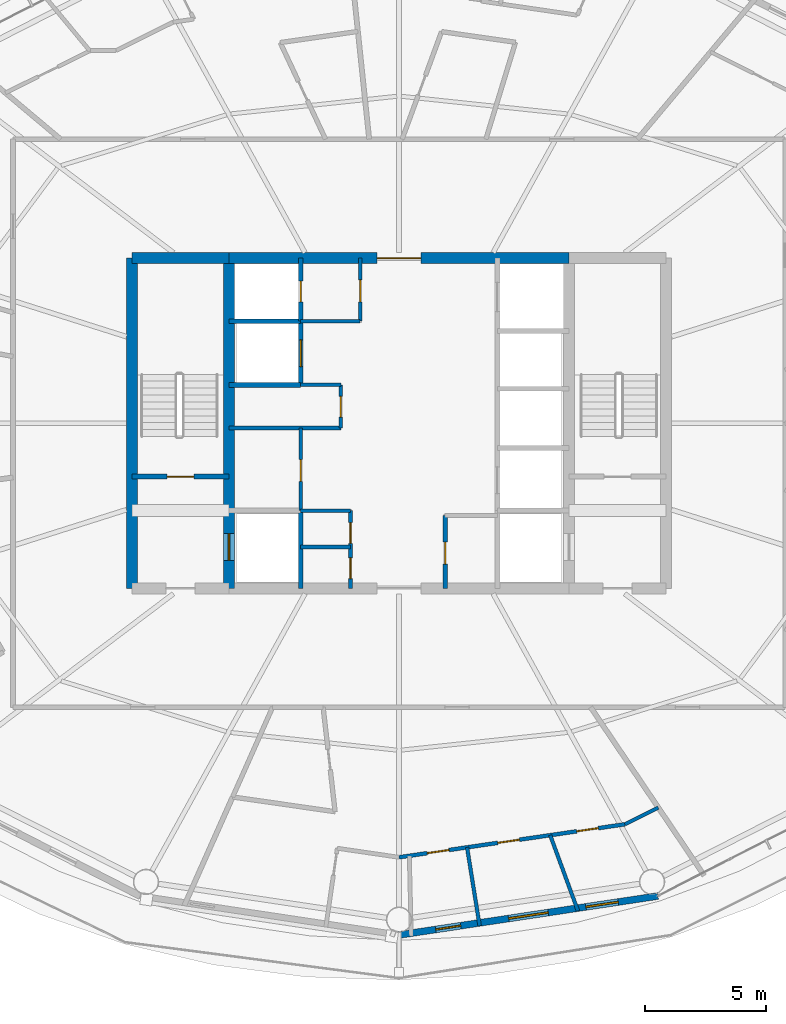
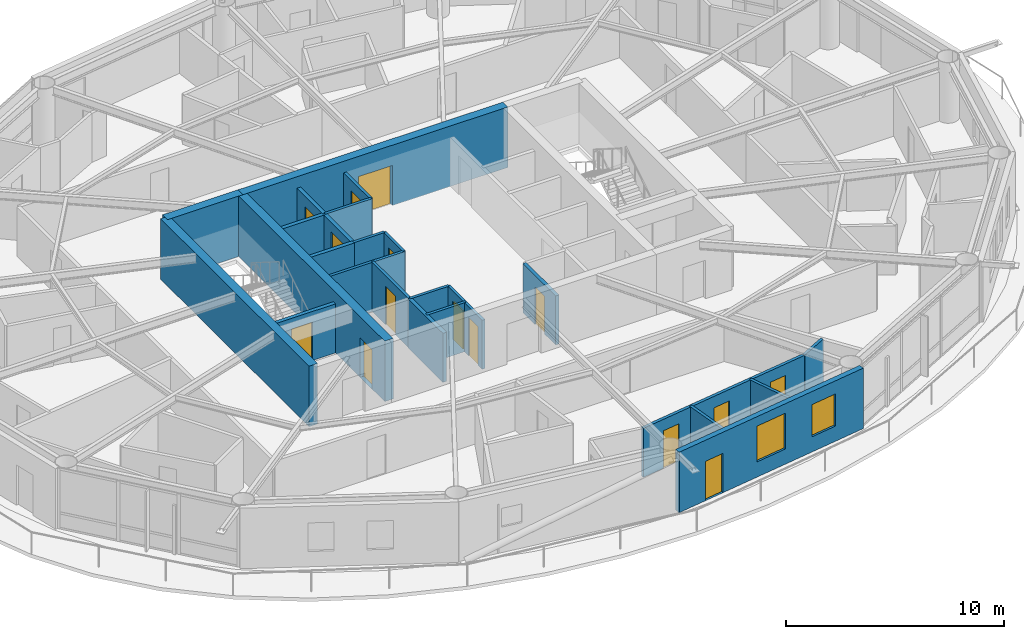
# One storey, part 22 of 29: 25 walls, 15 doors, 2 windows, 17 openings.
"""IFC4 building model written with IfcOpenShell, lengths in metres."""

from ifc_helpers import new_model, si_unit, direction, frame, frame_2d, origin, place, context, subcontext, project, spatial, rectangle, extrude, material, layer, layer_set, type_object, element, fill, save


model = new_model("IFC4")

# Units and contexts
model_context = context("Model", 3, precision=1e-05, world=origin(), true_north=direction((0.0, 1.0)))
body_context = subcontext(model_context, "Body", "Model", "MODEL_VIEW")
ifc_project = project(units=[si_unit("LENGTHUNIT", "METRE"), si_unit("AREAUNIT", "SQUARE_METRE"), si_unit("VOLUMEUNIT", "CUBIC_METRE"), si_unit("PLANEANGLEUNIT", "RADIAN"), si_unit("MASSUNIT", "GRAM", prefix="KILO")], contexts=[model_context])

# Site, building, storey
site_placement = place(None, origin())
site = spatial("IfcSite", under=ifc_project, at=site_placement, CompositionType="ELEMENT")
building_placement = place(site_placement, origin())
building = spatial("IfcBuilding", under=site, at=building_placement, Name="Sarneth Arch Tower", CompositionType="ELEMENT")
storey_placement = place(building_placement, frame((0.0, 0.0, 175.800048828125)))
storey = spatial("IfcBuildingStorey", under=building, at=storey_placement, Name="L44", CompositionType="ELEMENT", Elevation=175.800048828125)

# Wall
ifc_material_1 = material(Name="Concrete C50/60", Category="concrete")
ifc_layer_1 = layer(ifc_material_1, 0.449951171875)
ifc_layer_set_1 = layer_set([ifc_layer_1], Name="Concrete C50/60")
wall_type_1 = type_object("IfcWallType", Name="WALL-CORE-450", PredefinedType="SHEAR", material=ifc_layer_set_1)
wall_1_placement = place(storey_placement, frame((37.0, 48.800048828125, 0.0), z_axis=(0.0, 0.0, 1.0), x_axis=(1.0, 0.0, 0.0)))
element("IfcWall", 1, at=wall_1_placement, inside=storey, type_object=wall_type_1, Name="L44 Core shear wall N-W", PredefinedType="SHEAR", context=body_context, shape_type="SweptSolid", body=[
    extrude(rectangle(XDim=4.0, YDim=0.449951171875, at=frame_2d((2.0, 0.0))), origin(), (0.0, 0.0, 1.0), 3.3798828125),
])

# Wall, opening, door
wall_2_placement = place(storey_placement, frame((41.0, 48.800048828125, 0.0), z_axis=(0.0, 0.0, 1.0), x_axis=(1.0, 0.0, 0.0)))
wall_2 = element("IfcWall", 2, at=wall_2_placement, inside=storey, type_object=wall_type_1, Name="L44 Core shear wall N-M", PredefinedType="SHEAR", context=body_context, shape_type="SweptSolid", body=[
    extrude(rectangle(XDim=14.0, YDim=0.449951171875, at=frame_2d((7.0, 0.0))), origin(), (0.0, 0.0, 1.0), 3.3798828125),
])
opening_1_placement = place(wall_2_placement, frame((6.10009765625, 0.0, 0.0)))
opening_1 = element("IfcOpeningElement", 3, at=opening_1_placement, cuts=wall_2, Name="Opening FD-01", PredefinedType="OPENING", context=body_context, shape_type="SweptSolid", body=[
    extrude(rectangle(XDim=1.800048828125, YDim=2.25, at=frame_2d((0.89990234375, 1.125))), frame((0.0, 0.23486328125, 0.0), z_axis=(0.0, -1.0, 0.0), x_axis=(1.0, 0.0, 0.0)), (0.0, 0.0, 1.0), 0.469970703125),
])
ifc_material_2 = material(Name="Galvanised Steel S275 fire door set", Category="steel")
door_type_1 = type_object("IfcDoorType", Name="DR-FD90-1800", OperationType="DOUBLE_DOOR_SINGLE_SWING", PredefinedType="DOOR", material=ifc_material_2)
door_1_placement = place(opening_1_placement, origin())
door_1 = element("IfcDoor", 4, at=door_1_placement, inside=storey, type_object=door_type_1, Name="L44 Central lift lobby north door", OperationType="DOUBLE_DOOR_SINGLE_SWING", OverallHeight=2.25, OverallWidth=1.800048828125, PredefinedType="DOOR", context=body_context, shape_type="SweptSolid", body=[
    extrude(rectangle(XDim=1.800048828125, YDim=2.25, at=frame_2d((0.89990234375, 1.125))), frame((0.0, 0.02490234375, 0.0), z_axis=(0.0, -1.0, 0.0), x_axis=(1.0, 0.0, 0.0)), (0.0, 0.0, 1.0), 0.050048828125),
])
fill(opening_1, door_1)

# Wall
wall_3_placement = place(storey_placement, frame((37.0, 35.199951171875, 0.0), z_axis=(0.0, 0.0, 1.0), x_axis=(0.0, 1.0, 0.0)))
element("IfcWall", 5, at=wall_3_placement, inside=storey, type_object=wall_type_1, Name="L44 Core shear wall W", PredefinedType="SHEAR", context=body_context, shape_type="SweptSolid", body=[
    extrude(rectangle(XDim=13.60009765625, YDim=0.449951171875, at=frame_2d((6.800048828125, 0.0))), origin(), (0.0, 0.0, 1.0), 3.3798828125),
])

# Wall, opening, door
wall_4_placement = place(storey_placement, frame((41.0, 35.199951171875, 0.0), z_axis=(0.0, 0.0, 1.0), x_axis=(0.0, 1.0, 0.0)))
wall_4 = element("IfcWall", 6, at=wall_4_placement, inside=storey, type_object=wall_type_1, Name="L44 Core shear wall WEB-W", PredefinedType="SHEAR", context=body_context, shape_type="SweptSolid", body=[
    extrude(rectangle(XDim=13.60009765625, YDim=0.449951171875, at=frame_2d((6.800048828125, 0.0))), origin(), (0.0, 0.0, 1.0), 3.3798828125),
])
opening_2_placement = place(wall_4_placement, frame((1.14990234375, 0.0, 0.0)))
opening_2 = element("IfcOpeningElement", 7, at=opening_2_placement, cuts=wall_4, Name="Opening LD-1", PredefinedType="OPENING", context=body_context, shape_type="SweptSolid", body=[
    extrude(rectangle(XDim=1.10009765625, YDim=2.199951171875, at=frame_2d((0.550048828125, 1.10009765625))), frame((0.0, 0.23486328125, 0.0), z_axis=(0.0, -1.0, 0.0), x_axis=(1.0, 0.0, 0.0)), (0.0, 0.0, 1.0), 0.469970703125),
])
ifc_material_3 = material(Name="Brushed Stainless Steel 304 lift landing door", Category="steel")
door_type_2 = type_object("IfcDoorType", Name="DR-LIFT-SLIDE-1100", OperationType="SLIDING_TO_LEFT", PredefinedType="DOOR", material=ifc_material_3)
door_2_placement = place(opening_2_placement, origin())
door_2 = element("IfcDoor", 8, at=door_2_placement, inside=storey, type_object=door_type_2, Name="L44 Firefighting lift landing door FL-1", OperationType="SLIDING_TO_LEFT", OverallHeight=2.199951171875, OverallWidth=1.10009765625, PredefinedType="DOOR", context=body_context, shape_type="SweptSolid", body=[
    extrude(rectangle(XDim=1.10009765625, YDim=2.199951171875, at=frame_2d((0.550048828125, 1.10009765625))), frame((0.0, 0.02490234375, 0.0), z_axis=(0.0, -1.0, 0.0), x_axis=(1.0, 0.0, 0.0)), (0.0, 0.0, 1.0), 0.050048828125),
])
fill(opening_2, door_2)

# Wall, openings, door, windows
ifc_material_4 = material(Name="Extruded terracotta rainscreen on Concrete C40/50 backing", Category="masonry")
ifc_layer_2 = layer(ifc_material_4, 0.280029296875)
ifc_layer_set_2 = layer_set([ifc_layer_2], Name="Extruded terracotta rainscreen on Concrete C40/50 backing")
wall_type_2 = type_object("IfcWallType", Name="WALL-EXT-TERRA-280", PredefinedType="SOLIDWALL", material=ifc_layer_set_2)
wall_5_placement = place(storey_placement, frame((48.0, 20.919921875, 0.0), z_axis=(0.0, 0.0, 1.0), x_axis=(0.988863993413, 0.148822049884, 0.0)))
wall_5 = element("IfcWall", 9, at=wall_5_placement, inside=storey, type_object=wall_type_2, Name="L44 Terracotta perimeter wall 13", PredefinedType="SOLIDWALL", context=body_context, shape_type="SweptSolid", body=[
    extrude(rectangle(XDim=10.782958984375, YDim=0.280029296875, at=frame_2d((5.3916015625, 0.0))), origin(), (0.0, 0.0, 1.0), 3.3798828125),
])
opening_3_placement = place(wall_5_placement, frame((1.523681640625, 0.0, 0.0)))
opening_3 = element("IfcOpeningElement", 10, at=opening_3_placement, cuts=wall_5, Name="Opening BD-4", PredefinedType="OPENING", context=body_context, shape_type="SweptSolid", body=[
    extrude(rectangle(XDim=1.050048828125, YDim=2.199951171875, at=frame_2d((0.52490234375, 1.10009765625))), frame((0.0, 0.14990234375, 0.0), z_axis=(0.0, -1.0, 0.0), x_axis=(1.0, 0.0, 0.0)), (0.0, 0.0, 1.0), 0.300048828125),
])
opening_4_placement = place(wall_5_placement, frame((4.56201171875, 0.0, 0.85009765625)))
opening_4 = element("IfcOpeningElement", 11, at=opening_4_placement, cuts=wall_5, Name="Opening W-05", PredefinedType="OPENING", context=body_context, shape_type="SweptSolid", body=[
    extrude(rectangle(XDim=1.64990234375, YDim=2.0, at=frame_2d((0.824951171875, 1.0))), frame((0.0, 0.14990234375, 0.0), z_axis=(0.0, -1.0, 0.0), x_axis=(1.0, 0.0, 0.0)), (0.0, 0.0, 1.0), 0.300048828125),
])
opening_5_placement = place(wall_5_placement, frame((7.783203125, 0.0, 0.85009765625)))
opening_5 = element("IfcOpeningElement", 12, at=opening_5_placement, cuts=wall_5, Name="Opening W-08", PredefinedType="OPENING", context=body_context, shape_type="SweptSolid", body=[
    extrude(rectangle(XDim=1.35009765625, YDim=1.800048828125, at=frame_2d((0.675048828125, 0.89990234375))), frame((0.0, 0.14990234375, 0.0), z_axis=(0.0, -1.0, 0.0), x_axis=(1.0, 0.0, 0.0)), (0.0, 0.0, 1.0), 0.300048828125),
])
ifc_material_5 = material(Name="Thermally broken Aluminium 6063-T6 and laminated safety glass", Category="aluminium")
door_type_3 = type_object("IfcDoorType", Name="DR-BALC-GLZ-1050", OperationType="SINGLE_SWING_RIGHT", PredefinedType="DOOR", material=ifc_material_5)
door_3_placement = place(opening_3_placement, origin())
door_3 = element("IfcDoor", 13, at=door_3_placement, inside=storey, type_object=door_type_3, Name="L44 Balcony glazed door 13", OperationType="SINGLE_SWING_RIGHT", OverallHeight=2.199951171875, OverallWidth=1.050048828125, PredefinedType="DOOR", context=body_context, shape_type="SweptSolid", body=[
    extrude(rectangle(XDim=1.050048828125, YDim=2.199951171875, at=frame_2d((0.52490234375, 1.10009765625))), frame((0.0, 0.02490234375, 0.0), z_axis=(0.0, -1.0, 0.0), x_axis=(1.0, 0.0, 0.0)), (0.0, 0.0, 1.0), 0.050048828125),
])
fill(opening_3, door_3)
ifc_material_6 = material(Name="Thermally broken Aluminium 6063-T6 and low-e laminated IGU", Category="aluminium")
window_type_1 = type_object("IfcWindowType", Name="WIN-TWR-1350x1800", PartitioningType="SINGLE_PANEL", PredefinedType="WINDOW", material=ifc_material_6)
window_1_placement = place(opening_5_placement, origin())
window_1 = element("IfcWindow", 14, at=window_1_placement, inside=storey, type_object=window_type_1, Name="L44 Exterior window 13B", OverallHeight=1.800048828125, OverallWidth=1.35009765625, PartitioningType="SINGLE_PANEL", PredefinedType="WINDOW", context=body_context, shape_type="SweptSolid", body=[
    extrude(rectangle(XDim=1.35009765625, YDim=1.800048828125, at=frame_2d((0.675048828125, 0.89990234375))), frame((0.0, 0.030029296875, 0.0), z_axis=(0.0, -1.0, 0.0), x_axis=(1.0, 0.0, 0.0)), (0.0, 0.0, 1.0), 0.06005859375),
])
fill(opening_5, window_1)
ifc_material_7 = material(Name="Thermally broken Aluminium 6063-T6 and low-e laminated IGU", Category="aluminium")
window_type_2 = type_object("IfcWindowType", Name="WIN-TWR-1650x2000", PartitioningType="DOUBLE_PANEL_VERTICAL", PredefinedType="WINDOW", material=ifc_material_7)
window_2_placement = place(opening_4_placement, origin())
window_2 = element("IfcWindow", 15, at=window_2_placement, inside=storey, type_object=window_type_2, Name="L44 Exterior window 13A", OverallHeight=2.0, OverallWidth=1.64990234375, PartitioningType="SINGLE_PANEL", PredefinedType="WINDOW", context=body_context, shape_type="SweptSolid", body=[
    extrude(rectangle(XDim=1.64990234375, YDim=2.0, at=frame_2d((0.824951171875, 1.0))), frame((0.0, 0.030029296875, 0.0), z_axis=(0.0, -1.0, 0.0), x_axis=(1.0, 0.0, 0.0)), (0.0, 0.0, 1.0), 0.06005859375),
])
fill(opening_4, window_2)

# Wall, opening, door
ifc_material_8 = material(Name="Acoustic gypsum stud partition", Category="gypsum")
ifc_layer_3 = layer(ifc_material_8, 0.14990234375)
ifc_layer_set_3 = layer_set([ifc_layer_3], Name="Acoustic gypsum stud partition")
wall_type_3 = type_object("IfcWallType", Name="WALL-PART-150", PredefinedType="PARTITIONING", material=ifc_layer_set_3)
wall_6_placement = place(storey_placement, frame((43.949951171875, 38.39990234375, 0.0), z_axis=(0.0, 0.0, 1.0), x_axis=(0.0, 1.0, 0.0)))
wall_6 = element("IfcWall", 16, at=wall_6_placement, inside=storey, type_object=wall_type_3, Name="L44 Interior partition W-L44-RECPL-E1", PredefinedType="PARTITIONING", context=body_context, shape_type="SweptSolid", body=[
    extrude(rectangle(XDim=3.400146484375, YDim=0.14990234375, at=frame_2d((1.7001953125, 0.0))), origin(), (0.0, 0.0, 1.0), 2.739990234375),
])
opening_6_placement = place(wall_6_placement, frame((1.199951171875, 0.0, 0.0)))
opening_6 = element("IfcOpeningElement", 17, at=opening_6_placement, cuts=wall_6, Name="Opening FD-10", PredefinedType="OPENING", context=body_context, shape_type="SweptSolid", body=[
    extrude(rectangle(XDim=0.89990234375, YDim=2.14990234375, at=frame_2d((0.449951171875, 1.074951171875))), frame((0.0, 0.0849609375, 0.0), z_axis=(0.0, -1.0, 0.0), x_axis=(1.0, 0.0, 0.0)), (0.0, 0.0, 1.0), 0.169921875),
])
ifc_material_9 = material(Name="Galvanised Steel S275 riser/service fire door", Category="steel")
door_type_4 = type_object("IfcDoorType", Name="DR-FD60-900", OperationType="SINGLE_SWING_LEFT", PredefinedType="DOOR", material=ifc_material_9)
door_4_placement = place(opening_6_placement, origin())
door_4 = element("IfcDoor", 18, at=door_4_placement, inside=storey, type_object=door_type_4, Name="L44 Interior door DR-L44-RECPL1", OperationType="SINGLE_SWING_LEFT", OverallHeight=2.14990234375, OverallWidth=0.89990234375, PredefinedType="DOOR", context=body_context, shape_type="SweptSolid", body=[
    extrude(rectangle(XDim=0.89990234375, YDim=2.14990234375, at=frame_2d((0.449951171875, 1.074951171875))), frame((0.0, 0.02490234375, 0.0), z_axis=(0.0, -1.0, 0.0), x_axis=(1.0, 0.0, 0.0)), (0.0, 0.0, 1.0), 0.050048828125),
])
fill(opening_6, door_4)

# Walls
wall_7_placement = place(storey_placement, frame((41.0, 41.800048828125, 0.0), z_axis=(0.0, 0.0, 1.0), x_axis=(1.0, 0.0, 0.0)))
element("IfcWall", 19, at=wall_7_placement, inside=storey, type_object=wall_type_3, Name="L44 Interior partition W-L44-RECPL-S2", PredefinedType="PARTITIONING", context=body_context, shape_type="SweptSolid", body=[
    extrude(rectangle(XDim=4.60009765625, YDim=0.14990234375, at=frame_2d((2.300048828125, 0.0))), origin(), (0.0, 0.0, 1.0), 2.739990234375),
])
wall_8_placement = place(storey_placement, frame((43.949951171875, 43.580078125, 0.0), z_axis=(0.0, 0.0, 1.0), x_axis=(1.0, 0.0, 0.0)))
element("IfcWall", 20, at=wall_8_placement, inside=storey, type_object=wall_type_3, Name="L44 Interior partition W-L44-RECPL-N2", PredefinedType="PARTITIONING", context=body_context, shape_type="SweptSolid", body=[
    extrude(rectangle(XDim=1.650146484375, YDim=0.14990234375, at=frame_2d((0.8251953125, 0.0))), origin(), (0.0, 0.0, 1.0), 2.739990234375),
])

# Wall, opening, door
wall_9_placement = place(storey_placement, frame((45.60009765625, 41.800048828125, 0.0), z_axis=(0.0, 0.0, 1.0), x_axis=(0.0, 1.0, 0.0)))
wall_9 = element("IfcWall", 21, at=wall_9_placement, inside=storey, type_object=wall_type_3, Name="L44 Interior partition W-L44-RECPL-E2", PredefinedType="PARTITIONING", context=body_context, shape_type="SweptSolid", body=[
    extrude(rectangle(XDim=1.780029296875, YDim=0.14990234375, at=frame_2d((0.89013671875, 0.0))), origin(), (0.0, 0.0, 1.0), 2.739990234375),
])
opening_7_placement = place(wall_9_placement, frame((0.449951171875, 0.0, 0.0)))
opening_7 = element("IfcOpeningElement", 22, at=opening_7_placement, cuts=wall_9, Name="Opening FD-11", PredefinedType="OPENING", context=body_context, shape_type="SweptSolid", body=[
    extrude(rectangle(XDim=0.85009765625, YDim=2.14990234375, at=frame_2d((0.425048828125, 1.074951171875))), frame((0.0, 0.0849609375, 0.0), z_axis=(0.0, -1.0, 0.0), x_axis=(1.0, 0.0, 0.0)), (0.0, 0.0, 1.0), 0.169921875),
])
ifc_material_10 = material(Name="Galvanised Steel S275 closet fire door", Category="steel")
door_type_5 = type_object("IfcDoorType", Name="DR-FD60-850", OperationType="SINGLE_SWING_LEFT", PredefinedType="DOOR", material=ifc_material_10)
door_5_placement = place(opening_7_placement, origin())
door_5 = element("IfcDoor", 23, at=door_5_placement, inside=storey, type_object=door_type_5, Name="L44 Interior door DR-L44-RECPL2", OperationType="SINGLE_SWING_RIGHT", OverallHeight=2.14990234375, OverallWidth=0.85009765625, PredefinedType="DOOR", context=body_context, shape_type="SweptSolid", body=[
    extrude(rectangle(XDim=0.85009765625, YDim=2.14990234375, at=frame_2d((0.425048828125, 1.074951171875))), frame((0.0, 0.02490234375, 0.0), z_axis=(0.0, -1.0, 0.0), x_axis=(1.0, 0.0, 0.0)), (0.0, 0.0, 1.0), 0.050048828125),
])
fill(opening_7, door_5)

# Walls
for number, where, z_axis, x_axis, name in (
    (24, (43.949951171875, 36.89990234375, 0.0), (0.0, 0.0, 1.0), (1.0, 0.0, 0.0), "L44 Interior partition W-L44-CSUP-M"),
    (25, (43.949951171875, 38.39990234375, 0.0), (0.0, 0.0, 1.0), (1.0, 0.0, 0.0), "L44 Interior partition W-L44-CSUP-N"),
):
    element("IfcWall", number, at=place(storey_placement, frame(where, z_axis=z_axis, x_axis=x_axis)), inside=storey, type_object=wall_type_3, Name=name, PredefinedType="PARTITIONING", context=body_context, shape_type="SweptSolid", body=[
        extrude(rectangle(XDim=2.050048828125, YDim=0.14990234375, at=frame_2d((1.02490234375, 0.0))), origin(), (0.0, 0.0, 1.0), 2.739990234375),
    ])

# Wall, openings, doors
wall_10_placement = place(storey_placement, frame((46.0, 35.199951171875, 0.0), z_axis=(0.0, 0.0, 1.0), x_axis=(0.0, 1.0, 0.0)))
wall_10 = element("IfcWall", 26, at=wall_10_placement, inside=storey, type_object=wall_type_3, Name="L44 Interior partition W-L44-CSUP-E", PredefinedType="PARTITIONING", context=body_context, shape_type="SweptSolid", body=[
    extrude(rectangle(XDim=3.199951171875, YDim=0.14990234375, at=frame_2d((1.60009765625, 0.0))), origin(), (0.0, 0.0, 1.0), 2.739990234375),
])
opening_8_placement = place(wall_10_placement, frame((0.39990234375, 0.0, 0.0)))
opening_8 = element("IfcOpeningElement", 27, at=opening_8_placement, cuts=wall_10, Name="Opening FD-11", PredefinedType="OPENING", context=body_context, shape_type="SweptSolid", body=[
    extrude(rectangle(XDim=0.85009765625, YDim=2.14990234375, at=frame_2d((0.425048828125, 1.074951171875))), frame((0.0, 0.0849609375, 0.0), z_axis=(0.0, -1.0, 0.0), x_axis=(1.0, 0.0, 0.0)), (0.0, 0.0, 1.0), 0.169921875),
])
opening_9_placement = place(wall_10_placement, frame((1.85009765625, 0.0, 0.0)))
opening_9 = element("IfcOpeningElement", 28, at=opening_9_placement, cuts=wall_10, Name="Opening FD-11", PredefinedType="OPENING", context=body_context, shape_type="SweptSolid", body=[
    extrude(rectangle(XDim=0.85009765625, YDim=2.14990234375, at=frame_2d((0.425048828125, 1.074951171875))), frame((0.0, 0.0849609375, 0.0), z_axis=(0.0, -1.0, 0.0), x_axis=(1.0, 0.0, 0.0)), (0.0, 0.0, 1.0), 0.169921875),
])
door_6_placement = place(opening_8_placement, origin())
door_6 = element("IfcDoor", 29, at=door_6_placement, inside=storey, type_object=door_type_5, Name="L44 Interior door DR-L44-CSUP1", OperationType="SINGLE_SWING_LEFT", OverallHeight=2.14990234375, OverallWidth=0.85009765625, PredefinedType="DOOR", context=body_context, shape_type="SweptSolid", body=[
    extrude(rectangle(XDim=0.85009765625, YDim=2.14990234375, at=frame_2d((0.425048828125, 1.074951171875))), frame((0.0, 0.02490234375, 0.0), z_axis=(0.0, -1.0, 0.0), x_axis=(1.0, 0.0, 0.0)), (0.0, 0.0, 1.0), 0.050048828125),
])
fill(opening_8, door_6)
door_7_placement = place(opening_9_placement, origin())
door_7 = element("IfcDoor", 30, at=door_7_placement, inside=storey, type_object=door_type_5, Name="L44 Interior door DR-L44-CSUP2", OperationType="SINGLE_SWING_RIGHT", OverallHeight=2.14990234375, OverallWidth=0.85009765625, PredefinedType="DOOR", context=body_context, shape_type="SweptSolid", body=[
    extrude(rectangle(XDim=0.85009765625, YDim=2.14990234375, at=frame_2d((0.425048828125, 1.074951171875))), frame((0.0, 0.02490234375, 0.0), z_axis=(0.0, -1.0, 0.0), x_axis=(1.0, 0.0, 0.0)), (0.0, 0.0, 1.0), 0.050048828125),
])
fill(opening_9, door_7)

# Wall
wall_11_placement = place(storey_placement, frame((43.949951171875, 46.199951171875, 0.0), z_axis=(0.0, 0.0, 1.0), x_axis=(1.0, 0.0, 0.0)))
element("IfcWall", 31, at=wall_11_placement, inside=storey, type_object=wall_type_3, Name="L44 Interior partition W-L44-CSUP3-S", PredefinedType="PARTITIONING", context=body_context, shape_type="SweptSolid", body=[
    extrude(rectangle(XDim=2.449951171875, YDim=0.14990234375, at=frame_2d((1.22509765625, 0.0))), origin(), (0.0, 0.0, 1.0), 2.739990234375),
])

# Wall, opening, door
wall_12_placement = place(storey_placement, frame((46.39990234375, 46.199951171875, 0.0), z_axis=(0.0, 0.0, 1.0), x_axis=(0.0, 1.0, 0.0)))
wall_12 = element("IfcWall", 32, at=wall_12_placement, inside=storey, type_object=wall_type_3, Name="L44 Interior partition W-L44-CSUP3-E", PredefinedType="PARTITIONING", context=body_context, shape_type="SweptSolid", body=[
    extrude(rectangle(XDim=2.60009765625, YDim=0.14990234375, at=frame_2d((1.300048828125, 0.0))), origin(), (0.0, 0.0, 1.0), 2.739990234375),
])
opening_10_placement = place(wall_12_placement, frame((0.800048828125, 0.0, 0.0)))
opening_10 = element("IfcOpeningElement", 33, at=opening_10_placement, cuts=wall_12, Name="Opening FD-10", PredefinedType="OPENING", context=body_context, shape_type="SweptSolid", body=[
    extrude(rectangle(XDim=0.89990234375, YDim=2.14990234375, at=frame_2d((0.449951171875, 1.074951171875))), frame((0.0, 0.0849609375, 0.0), z_axis=(0.0, -1.0, 0.0), x_axis=(1.0, 0.0, 0.0)), (0.0, 0.0, 1.0), 0.169921875),
])
door_8_placement = place(opening_10_placement, origin())
door_8 = element("IfcDoor", 34, at=door_8_placement, inside=storey, type_object=door_type_4, Name="L44 Interior door DR-L44-CSUP3", OperationType="SINGLE_SWING_LEFT", OverallHeight=2.14990234375, OverallWidth=0.89990234375, PredefinedType="DOOR", context=body_context, shape_type="SweptSolid", body=[
    extrude(rectangle(XDim=0.89990234375, YDim=2.14990234375, at=frame_2d((0.449951171875, 1.074951171875))), frame((0.0, 0.02490234375, 0.0), z_axis=(0.0, -1.0, 0.0), x_axis=(1.0, 0.0, 0.0)), (0.0, 0.0, 1.0), 0.050048828125),
])
fill(opening_10, door_8)

# Walls
wall_13_placement = place(storey_placement, frame((55.3701171875, 21.91015625, 0.0), z_axis=(0.0, 0.0, 1.0), x_axis=(-0.344425148523, 0.938813781889, 0.0)))
element("IfcWall", 35, at=wall_13_placement, inside=storey, type_object=wall_type_3, Name="L44 Interior partition W-L44-TP-097", PredefinedType="PARTITIONING", context=body_context, shape_type="SweptSolid", body=[
    extrude(rectangle(XDim=3.32373046875, YDim=0.14990234375, at=frame_2d((1.661865234375, 0.0))), origin(), (0.0, 0.0, 1.0), 2.739990234375),
])
wall_14_placement = place(storey_placement, frame((51.3193359375, 21.298095703125, 0.0), z_axis=(0.0, 0.0, 1.0), x_axis=(-0.158287238469, 0.987393108209, 0.0)))
element("IfcWall", 36, at=wall_14_placement, inside=storey, type_object=wall_type_3, Name="L44 Interior partition W-L44-TP-096", PredefinedType="PARTITIONING", context=body_context, shape_type="SweptSolid", body=[
    extrude(rectangle(XDim=3.27294921875, YDim=0.14990234375, at=frame_2d((1.636474609375, 0.0))), origin(), (0.0, 0.0, 1.0), 2.739990234375),
])
wall_15_placement = place(storey_placement, frame((57.30517578125, 25.48095703125, 0.0), z_axis=(0.0, 0.0, 1.0), x_axis=(0.89499854631, 0.446069055308, 0.0)))
element("IfcWall", 37, at=wall_15_placement, inside=storey, type_object=wall_type_3, Name="L44 Interior partition W-L44-TP-093", PredefinedType="PARTITIONING", context=body_context, shape_type="SweptSolid", body=[
    extrude(rectangle(XDim=1.536376953125, YDim=0.14990234375, at=frame_2d((0.76806640625, 0.0))), origin(), (0.0, 0.0, 1.0), 2.739990234375),
])

# Wall, openings, doors
ifc_material_11 = material(Name="Kitchen wet service chase wall", Category="gypsum")
ifc_layer_4 = layer(ifc_material_11, 0.159912109375)
ifc_layer_set_4 = layer_set([ifc_layer_4], Name="Kitchen wet service chase wall")
wall_type_4 = type_object("IfcWallType", Name="WALL-PLUMB-160", PredefinedType="PLUMBINGWALL", material=ifc_layer_set_4)
wall_16_placement = place(storey_placement, frame((57.30517578125, 25.481201171875, 0.0), z_axis=(0.0, 0.0, 1.0), x_axis=(-0.989470950226, -0.144731609055, 0.0)))
wall_16 = element("IfcWall", 38, at=wall_16_placement, inside=storey, type_object=wall_type_4, Name="L44 Interior partition W-L44-TP-091", PredefinedType="PLUMBINGWALL", context=body_context, shape_type="SweptSolid", body=[
    extrude(rectangle(XDim=9.404296875, YDim=0.159912109375, at=frame_2d((4.7021484375, 0.0))), origin(), (0.0, 0.0, 1.0), 2.739990234375),
])
opening_11_placement = place(wall_16_placement, frame((4.392578125, 0.0, 0.0)))
opening_11 = element("IfcOpeningElement", 39, at=opening_11_placement, cuts=wall_16, Name="Opening ID-01", PredefinedType="OPENING", context=body_context, shape_type="SweptSolid", body=[
    extrude(rectangle(XDim=0.89990234375, YDim=2.10009765625, at=frame_2d((0.449951171875, 1.050048828125))), frame((0.0, 0.08984375, 0.0), z_axis=(0.0, -1.0, 0.0), x_axis=(1.0, 0.0, 0.0)), (0.0, 0.0, 1.0), 0.179931640625),
])
opening_12_placement = place(wall_16_placement, frame((1.106201171875, 0.0, 0.0)))
opening_12 = element("IfcOpeningElement", 40, at=opening_12_placement, cuts=wall_16, Name="Opening ID-01", PredefinedType="OPENING", context=body_context, shape_type="SweptSolid", body=[
    extrude(rectangle(XDim=0.89990234375, YDim=2.10009765625, at=frame_2d((0.449951171875, 1.050048828125))), frame((0.0, 0.08984375, 0.0), z_axis=(0.0, -1.0, 0.0), x_axis=(1.0, 0.0, 0.0)), (0.0, 0.0, 1.0), 0.179931640625),
])
opening_13_placement = place(wall_16_placement, frame((7.324951171875, 0.0, 0.0)))
opening_13 = element("IfcOpeningElement", 41, at=opening_13_placement, cuts=wall_16, Name="Opening ID-01", PredefinedType="OPENING", context=body_context, shape_type="SweptSolid", body=[
    extrude(rectangle(XDim=0.89990234375, YDim=2.10009765625, at=frame_2d((0.449951171875, 1.050048828125))), frame((0.0, 0.08984375, 0.0), z_axis=(0.0, -1.0, 0.0), x_axis=(1.0, 0.0, 0.0)), (0.0, 0.0, 1.0), 0.179931640625),
])
ifc_material_12 = material(Name="Engineered hardwood flush door", Category="wood")
door_type_6 = type_object("IfcDoorType", Name="DR-INT-900", OperationType="SINGLE_SWING_LEFT", PredefinedType="DOOR", material=ifc_material_12)
door_9_placement = place(opening_11_placement, origin())
door_9 = element("IfcDoor", 42, at=door_9_placement, inside=storey, type_object=door_type_6, Name="L44 Interior door DR-L44-U6-BED2", OperationType="SINGLE_SWING_LEFT", OverallHeight=2.10009765625, OverallWidth=0.89990234375, PredefinedType="DOOR", context=body_context, shape_type="SweptSolid", body=[
    extrude(rectangle(XDim=0.89990234375, YDim=2.10009765625, at=frame_2d((0.449951171875, 1.050048828125))), frame((0.0, 0.02490234375, 0.0), z_axis=(0.0, -1.0, 0.0), x_axis=(1.0, 0.0, 0.0)), (0.0, 0.0, 1.0), 0.050048828125),
])
fill(opening_11, door_9)
door_10_placement = place(opening_12_placement, origin())
door_10 = element("IfcDoor", 43, at=door_10_placement, inside=storey, type_object=door_type_6, Name="L44 Interior door DR-L44-U6-BED3", OperationType="SINGLE_SWING_RIGHT", OverallHeight=2.10009765625, OverallWidth=0.89990234375, PredefinedType="DOOR", context=body_context, shape_type="SweptSolid", body=[
    extrude(rectangle(XDim=0.89990234375, YDim=2.10009765625, at=frame_2d((0.449951171875, 1.050048828125))), frame((0.0, 0.02490234375, 0.0), z_axis=(0.0, -1.0, 0.0), x_axis=(1.0, 0.0, 0.0)), (0.0, 0.0, 1.0), 0.050048828125),
])
fill(opening_12, door_10)
door_11_placement = place(opening_13_placement, origin())
door_11 = element("IfcDoor", 44, at=door_11_placement, inside=storey, type_object=door_type_6, Name="L44 Interior door DR-L44-U6-BED1", OperationType="SINGLE_SWING_RIGHT", OverallHeight=2.10009765625, OverallWidth=0.89990234375, PredefinedType="DOOR", context=body_context, shape_type="SweptSolid", body=[
    extrude(rectangle(XDim=0.89990234375, YDim=2.10009765625, at=frame_2d((0.449951171875, 1.050048828125))), frame((0.0, 0.02490234375, 0.0), z_axis=(0.0, -1.0, 0.0), x_axis=(1.0, 0.0, 0.0)), (0.0, 0.0, 1.0), 0.050048828125),
])
fill(opening_13, door_11)

# Wall, opening, door
ifc_material_13 = material(Name="Moisture-resistant plumbing chase wall", Category="gypsum")
ifc_layer_5 = layer(ifc_material_13, 0.179931640625)
ifc_layer_set_5 = layer_set([ifc_layer_5], Name="Moisture-resistant plumbing chase wall")
wall_type_5 = type_object("IfcWallType", Name="WALL-PLUMB-180", PredefinedType="PLUMBINGWALL", material=ifc_layer_set_5)
wall_17_placement = place(storey_placement, frame((49.89990234375, 35.199951171875, 0.0), z_axis=(0.0, 0.0, 1.0), x_axis=(0.0, 1.0, 0.0)))
wall_17 = element("IfcWall", 45, at=wall_17_placement, inside=storey, type_object=wall_type_5, Name="L44 Interior partition W-L44-AWC-W", PredefinedType="PLUMBINGWALL", context=body_context, shape_type="SweptSolid", body=[
    extrude(rectangle(XDim=3.0, YDim=0.179931640625, at=frame_2d((1.5, 0.0))), origin(), (0.0, 0.0, 1.0), 2.739990234375),
])
opening_14_placement = place(wall_17_placement, frame((1.0, 0.0, 0.0)))
opening_14 = element("IfcOpeningElement", 46, at=opening_14_placement, cuts=wall_17, Name="Opening ID-01", PredefinedType="OPENING", context=body_context, shape_type="SweptSolid", body=[
    extrude(rectangle(XDim=0.89990234375, YDim=2.10009765625, at=frame_2d((0.449951171875, 1.050048828125))), frame((0.0, 0.099853515625, 0.0), z_axis=(0.0, -1.0, 0.0), x_axis=(1.0, 0.0, 0.0)), (0.0, 0.0, 1.0), 0.199951171875),
])
door_12_placement = place(opening_14_placement, origin())
door_12 = element("IfcDoor", 47, at=door_12_placement, inside=storey, type_object=door_type_6, Name="L44 Interior door DR-L44-AWC", OperationType="SINGLE_SWING_RIGHT", OverallHeight=2.10009765625, OverallWidth=0.89990234375, PredefinedType="DOOR", context=body_context, shape_type="SweptSolid", body=[
    extrude(rectangle(XDim=0.89990234375, YDim=2.10009765625, at=frame_2d((0.449951171875, 1.050048828125))), frame((0.0, 0.02490234375, 0.0), z_axis=(0.0, -1.0, 0.0), x_axis=(1.0, 0.0, 0.0)), (0.0, 0.0, 1.0), 0.050048828125),
])
fill(opening_14, door_12)

ifc_material_14 = material(Name="Aerated concrete blockwork C25/30", Category="masonry")
ifc_layer_6 = layer(ifc_material_14, 0.199951171875)
ifc_layer_set_6 = layer_set([ifc_layer_6], Name="Aerated concrete blockwork C25/30")
wall_type_6 = type_object("IfcWallType", Name="WALL-SHAFT-200", PredefinedType="SOLIDWALL", material=ifc_layer_set_6)
wall_18_placement = place(storey_placement, frame((37.0, 39.800048828125, 0.0), z_axis=(0.0, 0.0, 1.0), x_axis=(1.0, 0.0, 0.0)))
wall_18 = element("IfcWall", 48, at=wall_18_placement, inside=storey, type_object=wall_type_6, Name="L44 Interior partition W-L44-ST1-S", PredefinedType="SOLIDWALL", context=body_context, shape_type="SweptSolid", body=[
    extrude(rectangle(XDim=4.0, YDim=0.199951171875, at=frame_2d((2.0, 0.0))), origin(), (0.0, 0.0, 1.0), 2.739990234375),
])
opening_15_placement = place(wall_18_placement, frame((1.449951171875, 0.0, 0.0)))
opening_15 = element("IfcOpeningElement", 49, at=opening_15_placement, cuts=wall_18, Name="Opening FD-03", PredefinedType="OPENING", context=body_context, shape_type="SweptSolid", body=[
    extrude(rectangle(XDim=1.10009765625, YDim=2.14990234375, at=frame_2d((0.550048828125, 1.074951171875))), frame((0.0, 0.10986328125, 0.0), z_axis=(0.0, -1.0, 0.0), x_axis=(1.0, 0.0, 0.0)), (0.0, 0.0, 1.0), 0.219970703125),
])
ifc_material_15 = material(Name="Galvanised Steel S275 fire door set", Category="steel")
door_type_7 = type_object("IfcDoorType", Name="DR-FD90-1100", OperationType="SINGLE_SWING_LEFT", PredefinedType="DOOR", material=ifc_material_15)
door_13_placement = place(opening_15_placement, origin())
door_13 = element("IfcDoor", 50, at=door_13_placement, inside=storey, type_object=door_type_7, Name="L44 Interior door DR-L44-ST1", OperationType="SINGLE_SWING_LEFT", OverallHeight=2.14990234375, OverallWidth=1.10009765625, PredefinedType="DOOR", context=body_context, shape_type="SweptSolid", body=[
    extrude(rectangle(XDim=1.10009765625, YDim=2.14990234375, at=frame_2d((0.550048828125, 1.074951171875))), frame((0.0, 0.02490234375, 0.0), z_axis=(0.0, -1.0, 0.0), x_axis=(1.0, 0.0, 0.0)), (0.0, 0.0, 1.0), 0.050048828125),
])
fill(opening_15, door_13)

# Walls
wall_19_placement = place(storey_placement, frame((43.949951171875, 35.199951171875, 0.0), z_axis=(0.0, 0.0, 1.0), x_axis=(0.0, 1.0, 0.0)))
element("IfcWall", 51, at=wall_19_placement, inside=storey, type_object=wall_type_6, Name="L44 Interior partition W-L44-FL1-E", PredefinedType="SOLIDWALL", context=body_context, shape_type="SweptSolid", body=[
    extrude(rectangle(XDim=3.199951171875, YDim=0.199951171875, at=frame_2d((1.60009765625, 0.0))), origin(), (0.0, 0.0, 1.0), 2.739990234375),
])
wall_20_placement = place(storey_placement, frame((41.0, 46.199951171875, 0.0), z_axis=(0.0, 0.0, 1.0), x_axis=(1.0, 0.0, 0.0)))
element("IfcWall", 52, at=wall_20_placement, inside=storey, type_object=wall_type_6, Name="L44 Interior partition W-L44-RISER-S", PredefinedType="SOLIDWALL", context=body_context, shape_type="SweptSolid", body=[
    extrude(rectangle(XDim=2.949951171875, YDim=0.199951171875, at=frame_2d((1.47509765625, 0.0))), origin(), (0.0, 0.0, 1.0), 2.739990234375),
])

# Wall, opening, door
wall_21_placement = place(storey_placement, frame((43.949951171875, 46.199951171875, 0.0), z_axis=(0.0, 0.0, 1.0), x_axis=(0.0, 1.0, 0.0)))
wall_21 = element("IfcWall", 53, at=wall_21_placement, inside=storey, type_object=wall_type_6, Name="L44 Interior partition W-L44-RISER-E", PredefinedType="SOLIDWALL", context=body_context, shape_type="SweptSolid", body=[
    extrude(rectangle(XDim=2.60009765625, YDim=0.199951171875, at=frame_2d((1.300048828125, 0.0))), origin(), (0.0, 0.0, 1.0), 2.739990234375),
])
opening_16_placement = place(wall_21_placement, frame((0.800048828125, 0.0, 0.0)))
opening_16 = element("IfcOpeningElement", 54, at=opening_16_placement, cuts=wall_21, Name="Opening FD-11", PredefinedType="OPENING", context=body_context, shape_type="SweptSolid", body=[
    extrude(rectangle(XDim=0.85009765625, YDim=2.14990234375, at=frame_2d((0.425048828125, 1.074951171875))), frame((0.0, 0.10986328125, 0.0), z_axis=(0.0, -1.0, 0.0), x_axis=(1.0, 0.0, 0.0)), (0.0, 0.0, 1.0), 0.219970703125),
])
door_14_placement = place(opening_16_placement, origin())
door_14 = element("IfcDoor", 55, at=door_14_placement, inside=storey, type_object=door_type_5, Name="L44 Lift landing door DR-L44-RISER", OperationType="SINGLE_SWING_LEFT", OverallHeight=2.14990234375, OverallWidth=0.85009765625, PredefinedType="DOOR", context=body_context, shape_type="SweptSolid", body=[
    extrude(rectangle(XDim=0.85009765625, YDim=2.14990234375, at=frame_2d((0.425048828125, 1.074951171875))), frame((0.0, 0.02490234375, 0.0), z_axis=(0.0, -1.0, 0.0), x_axis=(1.0, 0.0, 0.0)), (0.0, 0.0, 1.0), 0.050048828125),
])
fill(opening_16, door_14)

# Wall
wall_22_placement = place(storey_placement, frame((41.0, 43.580078125, 0.0), z_axis=(0.0, 0.0, 1.0), x_axis=(1.0, 0.0, 0.0)))
element("IfcWall", 56, at=wall_22_placement, inside=storey, type_object=wall_type_6, Name="L44 Interior partition W-L44-PM1-S", PredefinedType="SOLIDWALL", context=body_context, shape_type="SweptSolid", body=[
    extrude(rectangle(XDim=2.949951171875, YDim=0.199951171875, at=frame_2d((1.47509765625, 0.0))), origin(), (0.0, 0.0, 1.0), 2.739990234375),
])

# Wall, opening, door
wall_23_placement = place(storey_placement, frame((43.949951171875, 43.580078125, 0.0), z_axis=(0.0, 0.0, 1.0), x_axis=(0.0, 1.0, 0.0)))
wall_23 = element("IfcWall", 57, at=wall_23_placement, inside=storey, type_object=wall_type_6, Name="L44 Interior partition W-L44-PM1-FRONT", PredefinedType="SOLIDWALL", context=body_context, shape_type="SweptSolid", body=[
    extrude(rectangle(XDim=2.619873046875, YDim=0.199951171875, at=frame_2d((1.31005859375, 0.0))), origin(), (0.0, 0.0, 1.0), 2.739990234375),
])
opening_17_placement = place(wall_23_placement, frame((0.75, 0.0, 0.0)))
opening_17 = element("IfcOpeningElement", 58, at=opening_17_placement, cuts=wall_23, Name="Opening LD-1", PredefinedType="OPENING", context=body_context, shape_type="SweptSolid", body=[
    extrude(rectangle(XDim=1.10009765625, YDim=2.199951171875, at=frame_2d((0.550048828125, 1.10009765625))), frame((0.0, 0.10986328125, 0.0), z_axis=(0.0, -1.0, 0.0), x_axis=(1.0, 0.0, 0.0)), (0.0, 0.0, 1.0), 0.219970703125),
])
door_15_placement = place(opening_17_placement, origin())
door_15 = element("IfcDoor", 59, at=door_15_placement, inside=storey, type_object=door_type_2, Name="L44 Lift landing door DR-L44-LD-PM1", OperationType="SLIDING_TO_LEFT", OverallHeight=2.199951171875, OverallWidth=1.10009765625, PredefinedType="DOOR", context=body_context, shape_type="SweptSolid", body=[
    extrude(rectangle(XDim=1.10009765625, YDim=2.199951171875, at=frame_2d((0.550048828125, 1.10009765625))), frame((0.0, 0.02490234375, 0.0), z_axis=(0.0, -1.0, 0.0), x_axis=(1.0, 0.0, 0.0)), (0.0, 0.0, 1.0), 0.050048828125),
])
fill(opening_17, door_15)

save(model, "model.ifc")
